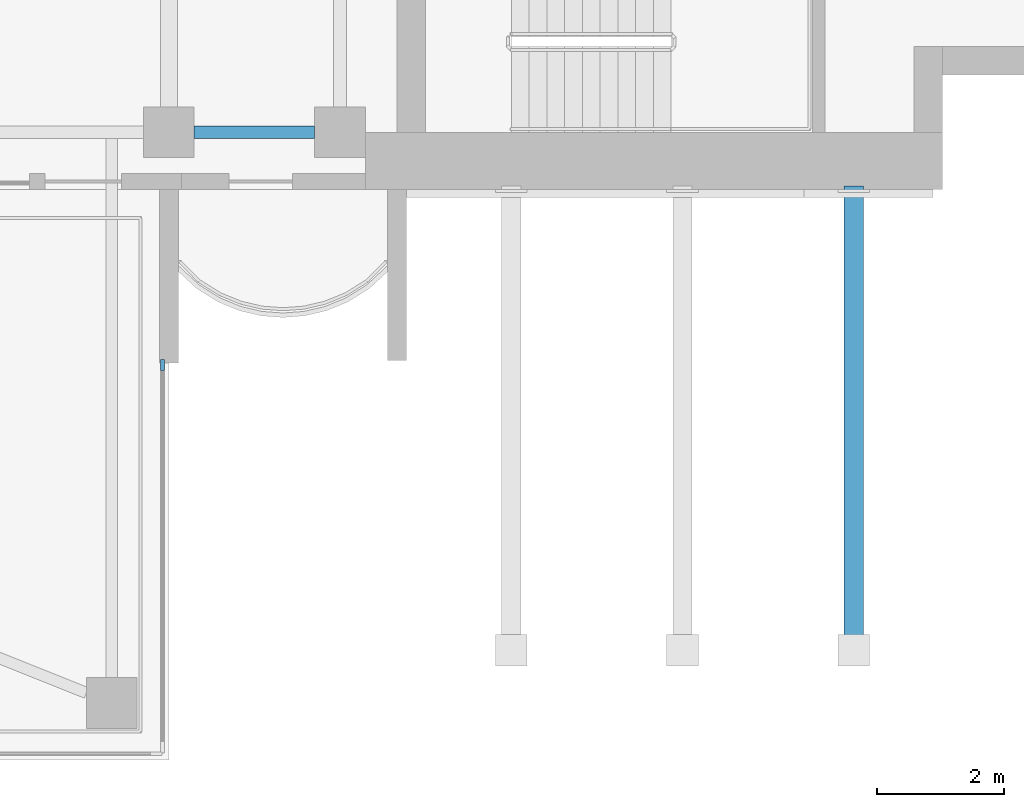
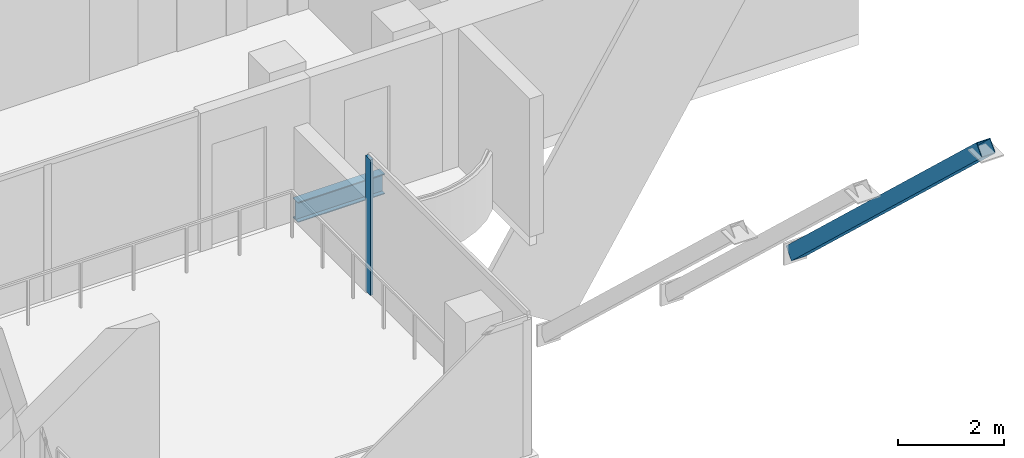
# One storey, part 4 of 18: 2 members, 1 beam, 1 element without a shape of its own.
"""IFC4 building model written with IfcOpenShell, lengths in metres."""

from ifc_helpers import new_model, si_unit, direction, frame, origin, origin_2d, place, context, subcontext, project, spatial, rectangle, hollow_rectangle, i_section, extrude, material, material_profile, profile_set, type_object, element, aggregate, save


model = new_model("IFC4")

# Units and contexts
model_context = context("Model", 3, precision=1e-05, world=origin(), true_north=direction((0.0, 1.0)))
body_context = subcontext(model_context, "Body", "Model", "MODEL_VIEW")
ifc_project = project(units=[si_unit("LENGTHUNIT", "METRE"), si_unit("AREAUNIT", "SQUARE_METRE"), si_unit("VOLUMEUNIT", "CUBIC_METRE"), si_unit("PLANEANGLEUNIT", "RADIAN"), si_unit("MASSUNIT", "GRAM", prefix="KILO")], contexts=[model_context])

# Site, building, storey
site_placement = place(None, origin())
site = spatial("IfcSite", under=ifc_project, at=site_placement, CompositionType="ELEMENT")
building_placement = place(site_placement, origin())
building = spatial("IfcBuilding", under=site, at=building_placement, Name="Perihelion Cross Residences", CompositionType="ELEMENT")
storey_placement = place(building_placement, frame((0.0, 0.0, 281.5)))
storey = spatial("IfcBuildingStorey", under=building, at=storey_placement, Name="L72", CompositionType="ELEMENT", Elevation=281.5)

# Curtain wall, member
ifc_material_1 = material(Name="Bronze anodised aluminium, tinted glazing", Category="aluminium")
curtain_wall_type = type_object("IfcCurtainWallType", Name="CW4", PredefinedType="NOTDEFINED", material=ifc_material_1)
curtain_wall_placement = place(storey_placement, origin())
curtain_wall = element("IfcCurtainWall", 1, at=curtain_wall_placement, inside=storey, type_object=curtain_wall_type, Name="Curtain wall CW4 L72 pocket south-east 1 1", PredefinedType="NOTDEFINED")
ifc_material_2 = material(Name="Bronze anodised aluminium", Category="aluminium")
ifc_material_profile_1 = material_profile(ifc_material_2, rectangle(XDim=0.06005859375, YDim=0.179931640625, at=origin_2d()), Name="CW4 mullion")
ifc_profile_set_1 = profile_set([ifc_material_profile_1], Name="Bronze anodised aluminium")
member_type_1 = type_object("IfcMemberType", Name="CW4 mullion", PredefinedType="MULLION", material=ifc_profile_set_1)
member_1_placement = place(storey_placement, frame((17.89990234375, -11.77001953125, 0.0), z_axis=(0.0, 0.0, 1.0), x_axis=(1.0, 0.0, 0.0)))
member_1 = element("IfcMember", 2, at=member_1_placement, type_object=member_type_1, Name="CW4 mullion 1", PredefinedType="MULLION", context=body_context, shape_type="SweptSolid", body=[
    extrude(rectangle(XDim=0.06005859375, YDim=0.179931640625, at=origin_2d()), origin(), (0.0, 0.0, 1.0), 3.139892578125),
])
aggregate(curtain_wall, [member_1])

# Beam
ifc_material_3 = material(Name="Steel S355", Category="steel")
ifc_material_profile_2 = material_profile(ifc_material_3, i_section(OverallWidth=0.194091796875, OverallDepth=0.469970703125, WebThickness=0.0126953125, FlangeThickness=0.0205078125, at=origin_2d()), Name="W460x106")
ifc_profile_set_2 = profile_set([ifc_material_profile_2], Name="Steel S355")
beam_type = type_object("IfcBeamType", Name="Edge beam W460x106", PredefinedType="SPANDREL", material=ifc_profile_set_2)
beam_placement = place(storey_placement, frame((18.39990234375, -8.10009765625, -0.485107421875), z_axis=(1.0, 0.0, 0.0), x_axis=(0.0, 1.0, 0.0)))
element("IfcBeam", 3, at=beam_placement, inside=storey, type_object=beam_type, Name="Edge beam SB5 L72 no. 8", PredefinedType="SPANDREL", context=body_context, shape_type="SweptSolid", body=[
    extrude(i_section(OverallWidth=0.194091796875, OverallDepth=0.469970703125, WebThickness=0.0126953125, FlangeThickness=0.0205078125, at=origin_2d()), origin(), (0.0, 0.0, 1.0), 1.900146484375),
])

# Member
ifc_material_4 = material(Name="Steel S355", Category="steel")
ifc_material_profile_3 = material_profile(ifc_material_4, hollow_rectangle(XDim=0.304931640625, YDim=0.304931640625, WallThickness=0.0126953125, at=origin_2d()), Name="HSS304.8x304.8x12.7")
ifc_profile_set_3 = profile_set([ifc_material_profile_3], Name="Steel S355")
member_type_2 = type_object("IfcMemberType", Name="Sky pool strut HSS304.8x304.8x12.7", PredefinedType="BRACE", material=ifc_profile_set_3)
member_2_placement = place(storey_placement, frame((28.800048828125, -9.050048828125, -4.5), z_axis=(0.0, -0.729410209727, 0.684076564389), x_axis=(1.0, 0.0, 0.0)))
element("IfcMember", 4, at=member_2_placement, inside=storey, type_object=member_type_2, Name="Strut CB5 L72 pool no. 3", PredefinedType="BRACE", context=body_context, shape_type="SweptSolid", body=[
    extrude(hollow_rectangle(XDim=0.304931640625, YDim=0.304931640625, WallThickness=0.0126953125, at=origin_2d()), origin(), (0.0, 0.0, 1.0), 9.89306640625),
])

save(model, "model.ifc")
